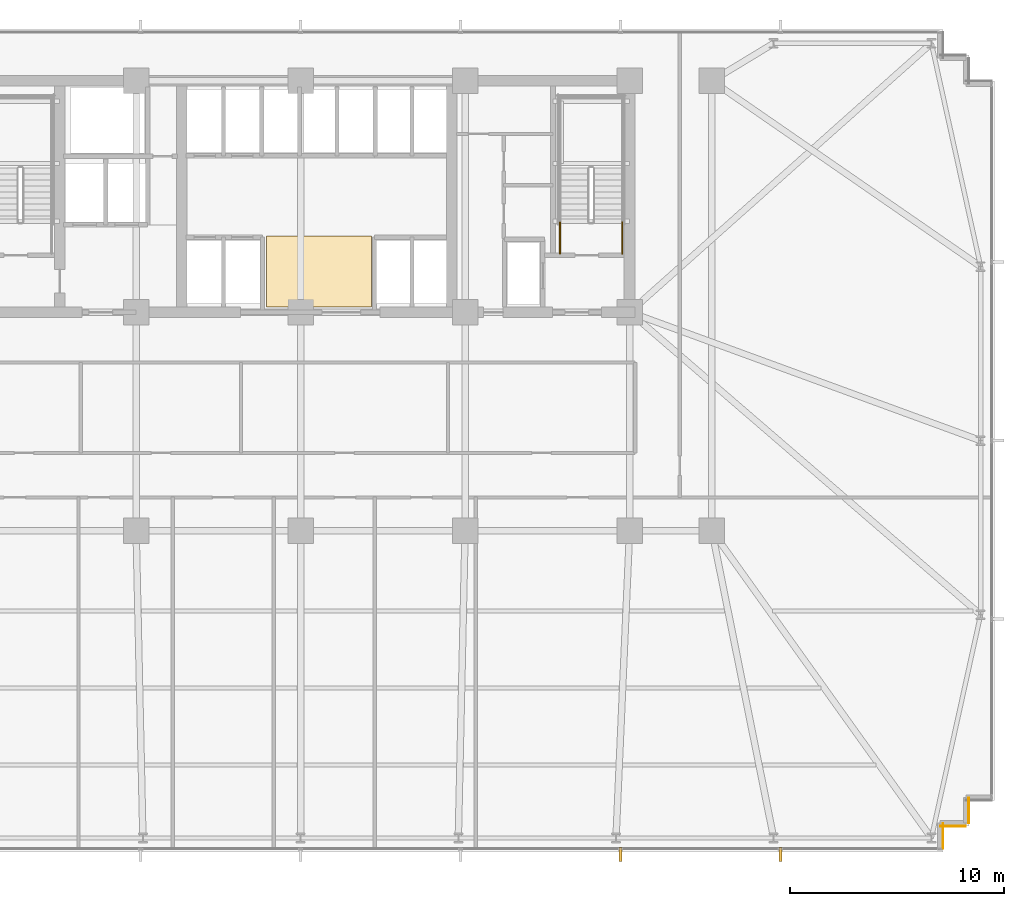
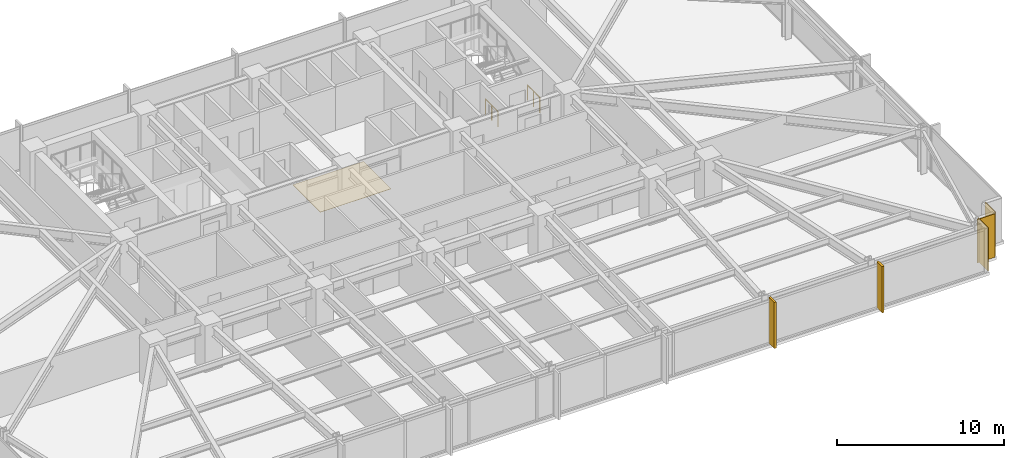
# One storey, part 29 of 33: 4 coverings, 2 railings, 2 shading devices.
"""IFC4 building model written with IfcOpenShell, lengths in metres."""

from ifc_helpers import new_model, si_unit, direction, frame, frame_2d, origin, origin_2d, place, context, subcontext, project, spatial, polyline, rectangle, circle, outline, extrude, material, layer, layer_set, type_object, element, save


model = new_model("IFC4")

# Units and contexts
model_context = context("Model", 3, precision=1e-05, world=origin(), true_north=direction((0.0, 1.0)))
body_context = subcontext(model_context, "Body", "Model", "MODEL_VIEW")
ifc_project = project(units=[si_unit("LENGTHUNIT", "METRE"), si_unit("AREAUNIT", "SQUARE_METRE"), si_unit("VOLUMEUNIT", "CUBIC_METRE"), si_unit("PLANEANGLEUNIT", "RADIAN"), si_unit("MASSUNIT", "GRAM", prefix="KILO")], contexts=[model_context])

# Site, building, storey
site_placement = place(None, origin())
site = spatial("IfcSite", under=ifc_project, at=site_placement, CompositionType="ELEMENT")
building_placement = place(site_placement, origin())
building = spatial("IfcBuilding", under=site, at=building_placement, Name="Yelkora Congress Tower", CompositionType="ELEMENT")
storey_placement = place(building_placement, frame((0.0, 0.0, 54.199951171875)))
storey = spatial("IfcBuildingStorey", under=building, at=storey_placement, Name="L13", CompositionType="ELEMENT", Elevation=54.199951171875)

# Coverings
ifc_material_1 = material(Name="Anatolian bush-hammered limestone", Category="masonry")
ifc_layer_1 = layer(ifc_material_1, 0.0400390625)
ifc_layer_set_1 = layer_set([ifc_layer_1], Name="Anatolian bush-hammered limestone")
covering_type_1 = type_object("IfcCoveringType", Name="COV-CLAD-SPANDREL-40", PredefinedType="CLADDING", material=ifc_layer_set_1)
for number, where, z_axis, x_axis, name in (
    (1, (69.594970703125, 12.739990234375, 0.0), (0.0, 0.0, 1.0), (0.0, -1.0, 0.0), "L13 Anatolian Limestone Cladding EW-L13-SR17"),
    (2, (69.4599609375, 11.405029296875, 0.0), (0.0, 0.0, 1.0), (-1.0, 0.0, 0.0), "L13 Anatolian Limestone Cladding EW-L13-SR18"),
    (3, (68.39501953125, 11.5400390625, 0.0), (0.0, 0.0, 1.0), (0.0, -1.0, 0.0), "L13 Anatolian Limestone Cladding EW-L13-SR19"),
):
    element("IfcCovering", number, at=place(storey_placement, frame(where, z_axis=z_axis, x_axis=x_axis)), inside=storey, type_object=covering_type_1, Name=name, PredefinedType="CLADDING", context=body_context, shape_type="SweptSolid", body=[
        extrude(rectangle(XDim=1.199951171875, YDim=0.0400390625, at=frame_2d((0.60009765625, 0.0))), origin(), (0.0, 0.0, 1.0), 3.179931640625),
    ])
ifc_material_2 = material(Name="Polished Anatolian grey granite tile", Category="masonry")
ifc_layer_2 = layer(ifc_material_2, 0.02001953125)
ifc_layer_set_2 = layer_set([ifc_layer_2], Name="Polished Anatolian grey granite tile")
covering_type_2 = type_object("IfcCoveringType", Name="COV-FLOOR-GRANITE-20", PredefinedType="FLOORING", material=ifc_layer_set_2)
covering_placement = place(storey_placement, origin())
element("IfcCovering", 4, at=covering_placement, inside=storey, type_object=covering_type_2, Name="L13 Lift Lobby Granite Flooring", PredefinedType="FLOORING", context=body_context, shape_type="SweptSolid", body=[
    extrude(outline(polyline([(36.800048828125, 35.64990234375), (41.699951171875, 35.64990234375), (41.699951171875, 38.949951171875), (36.800048828125, 38.949951171875), (36.800048828125, 35.64990234375)])), origin(), (0.0, 0.0, 1.0), 0.02001953125),
])

# Railings
ifc_material_3 = material(Name="Painted galvanised steel stair well guard with vertical infill", Category="steel")
ifc_layer_3 = layer(ifc_material_3, 0.06005859375)
ifc_layer_set_3 = layer_set([ifc_layer_3], Name="Painted galvanised steel stair well guard with vertical infill")
railing_type = type_object("IfcRailingType", Name="RAIL-STAIR-GUARD-1120", PredefinedType="GUARDRAIL", material=ifc_layer_set_3)
for number, where, name in (
    (5, (53.409912109375, 38.1201171875, 0.0), "ST-02 L13 Stair Well Guardrail 8"),
    (6, (50.510009765625, 38.1201171875, 0.0), "ST-02 L13 Stair Well Guardrail 9"),
):
    element("IfcRailing", number, at=place(storey_placement, frame(where)), inside=storey, type_object=railing_type, Name=name, PredefinedType="GUARDRAIL", context=body_context, shape_type="SweptSolid", body=[
        extrude(circle(Radius=0.02392578125, at=origin_2d()), frame((0.0, 0.0, 1.09619140625), z_axis=(0.0, 1.0, 0.0), x_axis=(-1.0, 0.0, 0.0)), (0.0, 0.0, 1.0), 1.47998046875),
        extrude(circle(Radius=0.02099609375, at=origin_2d()), origin(), (0.0, 0.0, 1.0), 1.072021484375),
        extrude(circle(Radius=0.02099609375, at=origin_2d()), frame((0.0, 0.739990234375, 0.0)), (0.0, 0.0, 1.0), 1.072021484375),
        extrude(circle(Radius=0.02099609375, at=origin_2d()), frame((0.0, 1.47998046875, 0.0)), (0.0, 0.0, 1.0), 1.072021484375),
    ])

# Shading devices
ifc_material_4 = material(Name="Champagne anodised aluminium", Category="aluminium")
ifc_layer_4 = layer(ifc_material_4, 3.39990234375)
ifc_layer_set_4 = layer_set([ifc_layer_4], Name="Champagne anodised aluminium")
shading_device_type = type_object("IfcShadingDeviceType", Name="SHD-FIN-ALU-640", PredefinedType="USERDEFINED", material=ifc_layer_set_4)
for number, where, z_axis, x_axis, name in (
    (7, (60.794921875, 10.080078125, -0.02978515625), (0.0, 0.0, 1.0), (-1.0, 0.0, 0.0), "L13 Vertical Anodised Solar Fin 20-1"),
    (8, (53.330078125, 10.080078125, -0.02978515625), (0.0, 0.0, 1.0), (-1.0, 0.0, 0.0), "L13 Vertical Anodised Solar Fin 20-2"),
):
    element("IfcShadingDevice", number, at=place(storey_placement, frame(where, z_axis=z_axis, x_axis=x_axis)), inside=storey, type_object=shading_device_type, Name=name, ObjectType="FIN", PredefinedType="USERDEFINED", context=body_context, shape_type="SweptSolid", body=[
        extrude(rectangle(XDim=0.139892578125, YDim=0.639892578125, at=origin_2d()), origin(), (0.0, 0.0, 1.0), 3.3798828125),
    ])

save(model, "model.ifc")
